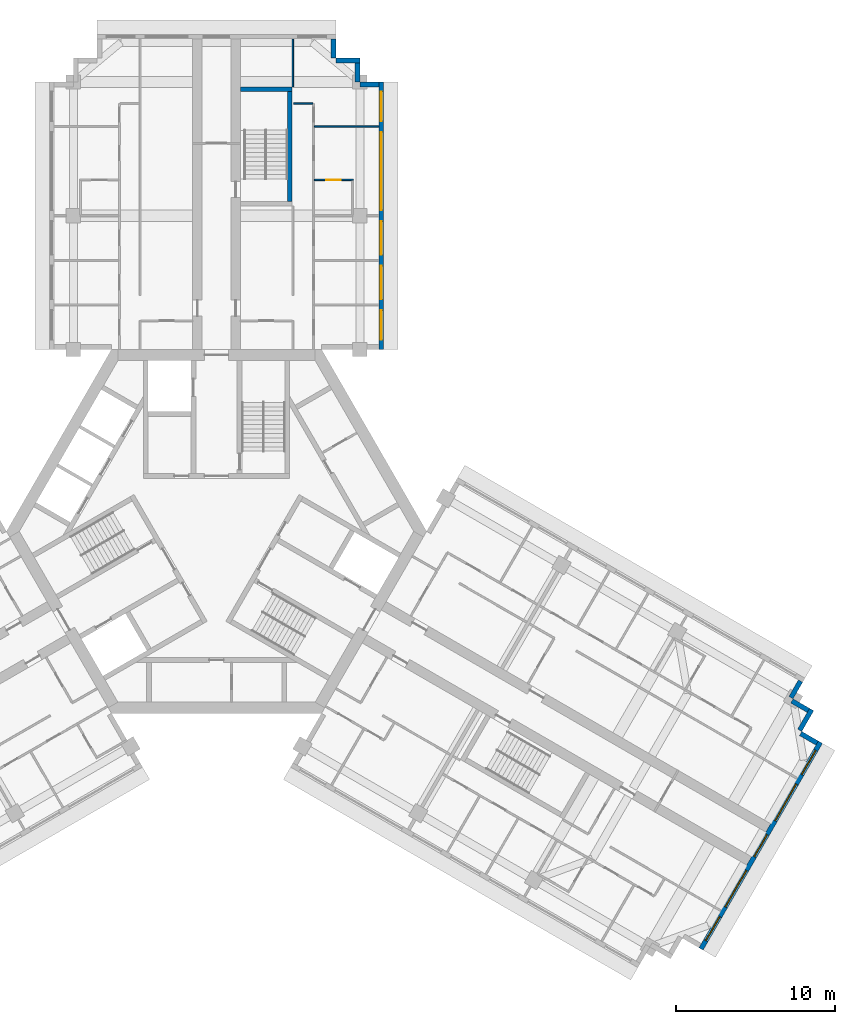
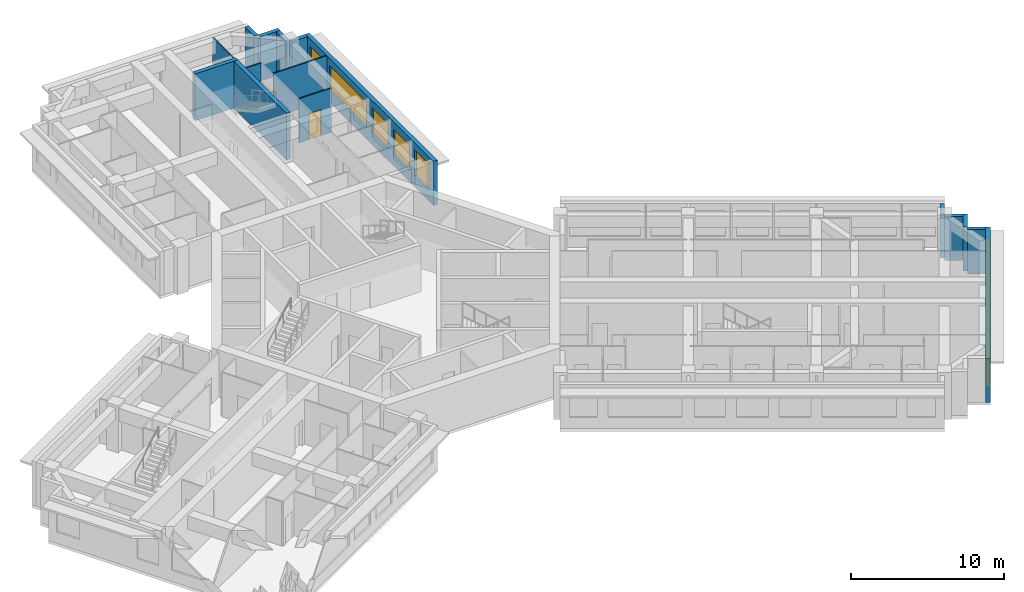
# One storey, part 9 of 11: 16 walls, 10 windows, 1 door, 11 openings.
"""IFC4 building model written with IfcOpenShell, lengths in metres."""

from ifc_helpers import new_model, si_unit, direction, frame, frame_2d, origin, place, context, subcontext, project, spatial, rectangle, extrude, material, layer, layer_set, type_object, element, fill, save


model = new_model("IFC4")

# Units and contexts
model_context = context("Model", 3, precision=1e-05, world=origin(), true_north=direction((0.0, 1.0)))
body_context = subcontext(model_context, "Body", "Model", "MODEL_VIEW")
ifc_project = project(units=[si_unit("LENGTHUNIT", "METRE"), si_unit("AREAUNIT", "SQUARE_METRE"), si_unit("VOLUMEUNIT", "CUBIC_METRE"), si_unit("PLANEANGLEUNIT", "RADIAN"), si_unit("MASSUNIT", "GRAM", prefix="KILO")], contexts=[model_context])

# Site, building, storey
site_placement = place(None, origin())
site = spatial("IfcSite", under=ifc_project, at=site_placement, CompositionType="ELEMENT")
building_placement = place(site_placement, origin())
building = spatial("IfcBuilding", under=site, at=building_placement, Name="Impinga Residences", CompositionType="ELEMENT")
storey_placement = place(building_placement, frame((0.0, 0.0, 244.75)))
storey = spatial("IfcBuildingStorey", under=building, at=storey_placement, Name="L61", CompositionType="ELEMENT", Elevation=244.75)

# Walls
ifc_material_1 = material(Name="Terracotta rainscreen on blockwork", Category="masonry")
ifc_layer_1 = layer(ifc_material_1, 0.300048828125)
ifc_layer_set_1 = layer_set([ifc_layer_1], Name="EW1 external wall, terracotta rainscreen on blockwork 300")
wall_type_1 = type_object("IfcWallType", Name="EW1 external wall, terracotta rainscreen on blockwork 300", PredefinedType="SOLIDWALL", material=ifc_layer_set_1)
wall_1_placement = place(storey_placement, frame((36.69384765625, -9.4072265625, 0.0), z_axis=(0.0, 0.0, 1.0), x_axis=(-0.499880961361, -0.866094119867, 0.0)))
element("IfcWall", 1, at=wall_1_placement, inside=storey, type_object=wall_type_1, Name="External wall EW1 L61", PredefinedType="SOLIDWALL", context=body_context, shape_type="SweptSolid", body=[
    extrude(rectangle(XDim=1.199951171875, YDim=0.300048828125, at=frame_2d((0.60009765625, 0.0))), origin(), (0.0, 0.0, 1.0), 3.530029296875),
])
wall_2_placement = place(storey_placement, frame((36.153076171875, -10.654052734375, 0.0), z_axis=(0.0, 0.0, 1.0), x_axis=(0.866059708757, -0.499940577336, 0.0)))
element("IfcWall", 2, at=wall_2_placement, inside=storey, type_object=wall_type_1, Name="External wall EW1 L61", PredefinedType="SOLIDWALL", context=body_context, shape_type="SweptSolid", body=[
    extrude(rectangle(XDim=1.195068359375, YDim=0.300048828125, at=frame_2d((0.59765625, 0.0))), origin(), (0.0, 0.0, 1.0), 3.530029296875),
])
wall_3_placement = place(storey_placement, frame((37.39306640625, -11.196533203125, 0.0), z_axis=(0.0, 0.0, 1.0), x_axis=(-0.499990139034, -0.866031096941, 0.0)))
element("IfcWall", 3, at=wall_3_placement, inside=storey, type_object=wall_type_1, Name="External wall EW1 L61", PredefinedType="SOLIDWALL", context=body_context, shape_type="SweptSolid", body=[
    extrude(rectangle(XDim=1.5, YDim=0.300048828125, at=frame_2d((0.75, 0.0))), origin(), (0.0, 0.0, 1.0), 3.530029296875),
])
wall_4_placement = place(storey_placement, frame((36.7021484375, -12.702880859375, 0.0), z_axis=(0.0, 0.0, 1.0), x_axis=(0.865971243484, -0.500093796661, 0.0)))
element("IfcWall", 4, at=wall_4_placement, inside=storey, type_object=wall_type_1, Name="External wall EW1 L61", PredefinedType="SOLIDWALL", context=body_context, shape_type="SweptSolid", body=[
    extrude(rectangle(XDim=1.195068359375, YDim=0.300048828125, at=frame_2d((0.59765625, 0.0))), origin(), (0.0, 0.0, 1.0), 3.530029296875),
])

# Wall, openings, windows
wall_5_placement = place(storey_placement, frame((37.94189453125, -13.24560546875, 0.0), z_axis=(0.0, 0.0, 1.0), x_axis=(-0.500004234368, -0.866022959057, 0.0)))
wall_5 = element("IfcWall", 5, at=wall_5_placement, inside=storey, type_object=wall_type_1, Name="External wall EW1 L61", PredefinedType="SOLIDWALL", context=body_context, shape_type="SweptSolid", body=[
    extrude(rectangle(XDim=14.999755859375, YDim=0.300048828125, at=frame_2d((7.5, 0.0))), origin(), (0.0, 0.0, 1.0), 3.530029296875),
])
opening_1_placement = place(wall_5_placement, frame((0.60009765625, 0.0, 0.89990234375)))
opening_1 = element("IfcOpeningElement", 6, at=opening_1_placement, cuts=wall_5, Name="Opening W1", PredefinedType="OPENING", context=body_context, shape_type="SweptSolid", body=[
    extrude(rectangle(XDim=1.75, YDim=2.050048828125, at=frame_2d((0.875, 1.02490234375))), frame((0.0, 0.159912109375, 0.0), z_axis=(0.0, -1.0, 0.0), x_axis=(1.0, 0.0, 0.0)), (0.0, 0.0, 1.0), 0.320068359375),
])
opening_2_placement = place(wall_5_placement, frame((3.050048828125, 0.0, 0.89990234375)))
opening_2 = element("IfcOpeningElement", 7, at=opening_2_placement, cuts=wall_5, Name="Opening W18", PredefinedType="OPENING", context=body_context, shape_type="SweptSolid", body=[
    extrude(rectangle(XDim=2.64990234375, YDim=2.050048828125, at=frame_2d((1.324951171875, 1.02490234375))), frame((0.0, 0.159912109375, 0.0), z_axis=(0.0, -1.0, 0.0), x_axis=(1.0, 0.0, 0.0)), (0.0, 0.0, 1.0), 0.320068359375),
])
opening_3_placement = place(wall_5_placement, frame((6.699951171875, 0.0, 0.89990234375)))
opening_3 = element("IfcOpeningElement", 8, at=opening_3_placement, cuts=wall_5, Name="Opening W19", PredefinedType="OPENING", context=body_context, shape_type="SweptSolid", body=[
    extrude(rectangle(XDim=1.60009765625, YDim=2.050048828125, at=frame_2d((0.800048828125, 1.02490234375))), frame((0.0, 0.159912109375, 0.0), z_axis=(0.0, -1.0, 0.0), x_axis=(1.0, 0.0, 0.0)), (0.0, 0.0, 1.0), 0.320068359375),
])
opening_4_placement = place(wall_5_placement, frame((9.300048828125, 0.0, 0.89990234375)))
opening_4 = element("IfcOpeningElement", 9, at=opening_4_placement, cuts=wall_5, Name="Opening W18", PredefinedType="OPENING", context=body_context, shape_type="SweptSolid", body=[
    extrude(rectangle(XDim=2.64990234375, YDim=2.050048828125, at=frame_2d((1.324951171875, 1.02490234375))), frame((0.0, 0.159912109375, 0.0), z_axis=(0.0, -1.0, 0.0), x_axis=(1.0, 0.0, 0.0)), (0.0, 0.0, 1.0), 0.320068359375),
])
opening_5_placement = place(wall_5_placement, frame((12.64990234375, 0.0, 0.89990234375)))
opening_5 = element("IfcOpeningElement", 10, at=opening_5_placement, cuts=wall_5, Name="Opening W1", PredefinedType="OPENING", context=body_context, shape_type="SweptSolid", body=[
    extrude(rectangle(XDim=1.75, YDim=2.050048828125, at=frame_2d((0.875, 1.02490234375))), frame((0.0, 0.159912109375, 0.0), z_axis=(0.0, -1.0, 0.0), x_axis=(1.0, 0.0, 0.0)), (0.0, 0.0, 1.0), 0.320068359375),
])
ifc_material_2 = material(Name="Aluminium window, clear double glazing", Category="aluminium")
window_type_1 = type_object("IfcWindowType", Name="W1 ribbon window 1750x2050", PartitioningType="SINGLE_PANEL", PredefinedType="WINDOW", material=ifc_material_2)
window_1_placement = place(opening_1_placement, origin())
window_1 = element("IfcWindow", 11, at=window_1_placement, inside=storey, type_object=window_type_1, Name="Window L61", OverallHeight=2.050048828125, OverallWidth=1.75, PartitioningType="SINGLE_PANEL", PredefinedType="WINDOW", context=body_context, shape_type="SweptSolid", body=[
    extrude(rectangle(XDim=1.75, YDim=2.050048828125, at=frame_2d((0.875, 1.02490234375))), frame((0.0, 0.030029296875, 0.0), z_axis=(0.0, -1.0, 0.0), x_axis=(1.0, 0.0, 0.0)), (0.0, 0.0, 1.0), 0.06005859375),
])
fill(opening_1, window_1)
window_2_placement = place(opening_5_placement, origin())
window_2 = element("IfcWindow", 12, at=window_2_placement, inside=storey, type_object=window_type_1, Name="Window L61", OverallHeight=2.050048828125, OverallWidth=1.75, PartitioningType="SINGLE_PANEL", PredefinedType="WINDOW", context=body_context, shape_type="SweptSolid", body=[
    extrude(rectangle(XDim=1.75, YDim=2.050048828125, at=frame_2d((0.875, 1.02490234375))), frame((0.0, 0.030029296875, 0.0), z_axis=(0.0, -1.0, 0.0), x_axis=(1.0, 0.0, 0.0)), (0.0, 0.0, 1.0), 0.06005859375),
])
fill(opening_5, window_2)
window_type_2 = type_object("IfcWindowType", Name="W18 ribbon window 2650x2050", PartitioningType="SINGLE_PANEL", PredefinedType="WINDOW", material=ifc_material_2)
window_3_placement = place(opening_2_placement, origin())
window_3 = element("IfcWindow", 13, at=window_3_placement, inside=storey, type_object=window_type_2, Name="Window L61", OverallHeight=2.050048828125, OverallWidth=2.64990234375, PartitioningType="SINGLE_PANEL", PredefinedType="WINDOW", context=body_context, shape_type="SweptSolid", body=[
    extrude(rectangle(XDim=2.64990234375, YDim=2.050048828125, at=frame_2d((1.324951171875, 1.02490234375))), frame((0.0, 0.030029296875, 0.0), z_axis=(0.0, -1.0, 0.0), x_axis=(1.0, 0.0, 0.0)), (0.0, 0.0, 1.0), 0.06005859375),
])
fill(opening_2, window_3)
window_4_placement = place(opening_4_placement, origin())
window_4 = element("IfcWindow", 14, at=window_4_placement, inside=storey, type_object=window_type_2, Name="Window L61", OverallHeight=2.050048828125, OverallWidth=2.64990234375, PartitioningType="SINGLE_PANEL", PredefinedType="WINDOW", context=body_context, shape_type="SweptSolid", body=[
    extrude(rectangle(XDim=2.64990234375, YDim=2.050048828125, at=frame_2d((1.324951171875, 1.02490234375))), frame((0.0, 0.030029296875, 0.0), z_axis=(0.0, -1.0, 0.0), x_axis=(1.0, 0.0, 0.0)), (0.0, 0.0, 1.0), 0.06005859375),
])
fill(opening_4, window_4)
window_type_3 = type_object("IfcWindowType", Name="W19 ribbon window 1600x2050", PartitioningType="SINGLE_PANEL", PredefinedType="WINDOW", material=ifc_material_2)
window_5_placement = place(opening_3_placement, origin())
window_5 = element("IfcWindow", 15, at=window_5_placement, inside=storey, type_object=window_type_3, Name="Window L61", OverallHeight=2.050048828125, OverallWidth=1.60009765625, PartitioningType="SINGLE_PANEL", PredefinedType="WINDOW", context=body_context, shape_type="SweptSolid", body=[
    extrude(rectangle(XDim=1.60009765625, YDim=2.050048828125, at=frame_2d((0.800048828125, 1.02490234375))), frame((0.0, 0.030029296875, 0.0), z_axis=(0.0, -1.0, 0.0), x_axis=(1.0, 0.0, 0.0)), (0.0, 0.0, 1.0), 0.06005859375),
])
fill(opening_3, window_5)

# Walls
wall_6_placement = place(storey_placement, frame((7.35009765625, 30.931640625, 0.0), z_axis=(0.0, 0.0, 1.0), x_axis=(0.0, -1.0, 0.0)))
element("IfcWall", 16, at=wall_6_placement, inside=storey, type_object=wall_type_1, Name="External wall EW1 L61", PredefinedType="SOLIDWALL", context=body_context, shape_type="SweptSolid", body=[
    extrude(rectangle(XDim=1.195068359375, YDim=0.300048828125, at=frame_2d((0.59765625, 0.0))), origin(), (0.0, 0.0, 1.0), 3.530029296875),
])
wall_7_placement = place(storey_placement, frame((7.5, 29.58154296875, 0.0), z_axis=(0.0, 0.0, 1.0), x_axis=(1.0, 0.0, 0.0)))
element("IfcWall", 17, at=wall_7_placement, inside=storey, type_object=wall_type_1, Name="External wall EW1 L61", PredefinedType="SOLIDWALL", context=body_context, shape_type="SweptSolid", body=[
    extrude(rectangle(XDim=1.5, YDim=0.300048828125, at=frame_2d((0.75, 0.0))), origin(), (0.0, 0.0, 1.0), 3.530029296875),
])
wall_8_placement = place(storey_placement, frame((8.85009765625, 29.431640625, 0.0), z_axis=(0.0, 0.0, 1.0), x_axis=(0.0, -1.0, 0.0)))
element("IfcWall", 18, at=wall_8_placement, inside=storey, type_object=wall_type_1, Name="External wall EW1 L61", PredefinedType="SOLIDWALL", context=body_context, shape_type="SweptSolid", body=[
    extrude(rectangle(XDim=1.2001953125, YDim=0.300048828125, at=frame_2d((0.60009765625, 0.0))), origin(), (0.0, 0.0, 1.0), 3.530029296875),
])
wall_9_placement = place(storey_placement, frame((9.0048828125, 28.08154296875, 0.0), z_axis=(0.0, 0.0, 1.0), x_axis=(1.0, 0.0, 0.0)))
element("IfcWall", 19, at=wall_9_placement, inside=storey, type_object=wall_type_1, Name="External wall EW1 L61", PredefinedType="SOLIDWALL", context=body_context, shape_type="SweptSolid", body=[
    extrude(rectangle(XDim=1.195068359375, YDim=0.300048828125, at=frame_2d((0.59765625, 0.0))), origin(), (0.0, 0.0, 1.0), 3.530029296875),
])

# Wall, openings, windows
wall_10_placement = place(storey_placement, frame((10.35009765625, 28.2314453125, 0.0), z_axis=(0.0, 0.0, 1.0), x_axis=(0.0, -1.0, 0.0)))
wall_10 = element("IfcWall", 20, at=wall_10_placement, inside=storey, type_object=wall_type_1, Name="External wall EW1 L61", PredefinedType="SOLIDWALL", context=body_context, shape_type="SweptSolid", body=[
    extrude(rectangle(XDim=16.7998046875, YDim=0.300048828125, at=frame_2d((8.39990234375, 0.0))), origin(), (0.0, 0.0, 1.0), 3.530029296875),
])
opening_6_placement = place(wall_10_placement, frame((0.60009765625, 0.0, 0.89990234375)))
opening_6 = element("IfcOpeningElement", 21, at=opening_6_placement, cuts=wall_10, Name="Opening W15", PredefinedType="OPENING", context=body_context, shape_type="SweptSolid", body=[
    extrude(rectangle(XDim=1.85009765625, YDim=2.050048828125, at=frame_2d((0.925048828125, 1.02490234375))), frame((0.0, 0.159912109375, 0.0), z_axis=(0.0, -1.0, 0.0), x_axis=(1.0, 0.0, 0.0)), (0.0, 0.0, 1.0), 0.320068359375),
])
opening_7_placement = place(wall_10_placement, frame((3.14990234375, 0.0, 0.89990234375)))
opening_7 = element("IfcOpeningElement", 22, at=opening_7_placement, cuts=wall_10, Name="Opening W16", PredefinedType="OPENING", context=body_context, shape_type="SweptSolid", body=[
    extrude(rectangle(XDim=4.89990234375, YDim=2.050048828125, at=frame_2d((2.449951171875, 1.02490234375))), frame((0.0, 0.159912109375, 0.0), z_axis=(0.0, -1.0, 0.0), x_axis=(1.0, 0.0, 0.0)), (0.0, 0.0, 1.0), 0.320068359375),
])
opening_8_placement = place(wall_10_placement, frame((8.75, 0.0, 0.89990234375)))
opening_8 = element("IfcOpeningElement", 23, at=opening_8_placement, cuts=wall_10, Name="Opening W9", PredefinedType="OPENING", context=body_context, shape_type="SweptSolid", body=[
    extrude(rectangle(XDim=2.10009765625, YDim=2.050048828125, at=frame_2d((1.050048828125, 1.02490234375))), frame((0.0, 0.159912109375, 0.0), z_axis=(0.0, -1.0, 0.0), x_axis=(1.0, 0.0, 0.0)), (0.0, 0.0, 1.0), 0.320068359375),
])
opening_9_placement = place(wall_10_placement, frame((11.550048828125, 0.0, 0.89990234375)))
opening_9 = element("IfcOpeningElement", 24, at=opening_9_placement, cuts=wall_10, Name="Opening W9", PredefinedType="OPENING", context=body_context, shape_type="SweptSolid", body=[
    extrude(rectangle(XDim=2.10009765625, YDim=2.050048828125, at=frame_2d((1.050048828125, 1.02490234375))), frame((0.0, 0.159912109375, 0.0), z_axis=(0.0, -1.0, 0.0), x_axis=(1.0, 0.0, 0.0)), (0.0, 0.0, 1.0), 0.320068359375),
])
opening_10_placement = place(wall_10_placement, frame((14.35009765625, 0.0, 0.89990234375)))
opening_10 = element("IfcOpeningElement", 25, at=opening_10_placement, cuts=wall_10, Name="Opening W15", PredefinedType="OPENING", context=body_context, shape_type="SweptSolid", body=[
    extrude(rectangle(XDim=1.85009765625, YDim=2.050048828125, at=frame_2d((0.925048828125, 1.02490234375))), frame((0.0, 0.159912109375, 0.0), z_axis=(0.0, -1.0, 0.0), x_axis=(1.0, 0.0, 0.0)), (0.0, 0.0, 1.0), 0.320068359375),
])
window_type_4 = type_object("IfcWindowType", Name="W15 ribbon window 1850x2050", PartitioningType="SINGLE_PANEL", PredefinedType="WINDOW", material=ifc_material_2)
window_6_placement = place(opening_6_placement, origin())
window_6 = element("IfcWindow", 26, at=window_6_placement, inside=storey, type_object=window_type_4, Name="Window L61", OverallHeight=2.050048828125, OverallWidth=1.85009765625, PartitioningType="SINGLE_PANEL", PredefinedType="WINDOW", context=body_context, shape_type="SweptSolid", body=[
    extrude(rectangle(XDim=1.85009765625, YDim=2.050048828125, at=frame_2d((0.925048828125, 1.02490234375))), frame((0.0, 0.030029296875, 0.0), z_axis=(0.0, -1.0, 0.0), x_axis=(1.0, 0.0, 0.0)), (0.0, 0.0, 1.0), 0.06005859375),
])
fill(opening_6, window_6)
window_7_placement = place(opening_10_placement, origin())
window_7 = element("IfcWindow", 27, at=window_7_placement, inside=storey, type_object=window_type_4, Name="Window L61", OverallHeight=2.050048828125, OverallWidth=1.85009765625, PartitioningType="SINGLE_PANEL", PredefinedType="WINDOW", context=body_context, shape_type="SweptSolid", body=[
    extrude(rectangle(XDim=1.85009765625, YDim=2.050048828125, at=frame_2d((0.925048828125, 1.02490234375))), frame((0.0, 0.030029296875, 0.0), z_axis=(0.0, -1.0, 0.0), x_axis=(1.0, 0.0, 0.0)), (0.0, 0.0, 1.0), 0.06005859375),
])
fill(opening_10, window_7)
window_type_5 = type_object("IfcWindowType", Name="W16 ribbon window 4900x2050", PartitioningType="SINGLE_PANEL", PredefinedType="WINDOW", material=ifc_material_2)
window_8_placement = place(opening_7_placement, origin())
window_8 = element("IfcWindow", 28, at=window_8_placement, inside=storey, type_object=window_type_5, Name="Window L61", OverallHeight=2.050048828125, OverallWidth=4.89990234375, PartitioningType="SINGLE_PANEL", PredefinedType="WINDOW", context=body_context, shape_type="SweptSolid", body=[
    extrude(rectangle(XDim=4.89990234375, YDim=2.050048828125, at=frame_2d((2.449951171875, 1.02490234375))), frame((0.0, 0.030029296875, 0.0), z_axis=(0.0, -1.0, 0.0), x_axis=(1.0, 0.0, 0.0)), (0.0, 0.0, 1.0), 0.06005859375),
])
fill(opening_7, window_8)
window_type_6 = type_object("IfcWindowType", Name="W9 ribbon window 2100x2050", PartitioningType="SINGLE_PANEL", PredefinedType="WINDOW", material=ifc_material_2)
window_9_placement = place(opening_8_placement, origin())
window_9 = element("IfcWindow", 29, at=window_9_placement, inside=storey, type_object=window_type_6, Name="Window L61", OverallHeight=2.050048828125, OverallWidth=2.10009765625, PartitioningType="SINGLE_PANEL", PredefinedType="WINDOW", context=body_context, shape_type="SweptSolid", body=[
    extrude(rectangle(XDim=2.10009765625, YDim=2.050048828125, at=frame_2d((1.050048828125, 1.02490234375))), frame((0.0, 0.030029296875, 0.0), z_axis=(0.0, -1.0, 0.0), x_axis=(1.0, 0.0, 0.0)), (0.0, 0.0, 1.0), 0.06005859375),
])
fill(opening_8, window_9)
window_10_placement = place(opening_9_placement, origin())
window_10 = element("IfcWindow", 30, at=window_10_placement, inside=storey, type_object=window_type_6, Name="Window L61", OverallHeight=2.050048828125, OverallWidth=2.10009765625, PartitioningType="SINGLE_PANEL", PredefinedType="WINDOW", context=body_context, shape_type="SweptSolid", body=[
    extrude(rectangle(XDim=2.10009765625, YDim=2.050048828125, at=frame_2d((1.050048828125, 1.02490234375))), frame((0.0, 0.030029296875, 0.0), z_axis=(0.0, -1.0, 0.0), x_axis=(1.0, 0.0, 0.0)), (0.0, 0.0, 1.0), 0.06005859375),
])
fill(opening_9, window_10)

# Walls
ifc_material_3 = material(Name="Gypsum board on steel studs", Category="steel")
ifc_layer_2 = layer(ifc_material_3, 0.10009765625)
ifc_layer_set_2 = layer_set([ifc_layer_2], Name="Gypsum board on steel studs")
wall_type_2 = type_object("IfcWallType", Name="IP1 partition 100", PredefinedType="PARTITIONING", material=ifc_layer_set_2)
wall_11_placement = place(storey_placement, frame((4.800048828125, 27.931640625, 0.0), z_axis=(0.0, 0.0, 1.0), x_axis=(0.0, 1.0, 0.0)))
element("IfcWall", 31, at=wall_11_placement, inside=storey, type_object=wall_type_2, Name="Partition L61-NF1:DIV2", PredefinedType="PARTITIONING", context=body_context, shape_type="SweptSolid", body=[
    extrude(rectangle(XDim=3.0, YDim=0.10009765625, at=frame_2d((1.5, 0.0))), origin(), (0.0, 0.0, 1.0), 3.530029296875),
])
wall_12_placement = place(storey_placement, frame((4.85009765625, 26.881591796875, 0.0), z_axis=(0.0, 0.0, 1.0), x_axis=(1.0, 0.0, 0.0)))
element("IfcWall", 32, at=wall_12_placement, inside=storey, type_object=wall_type_2, Name="Partition L61-NF1:SE1", PredefinedType="PARTITIONING", context=body_context, shape_type="SweptSolid", body=[
    extrude(rectangle(XDim=1.199951171875, YDim=0.10009765625, at=frame_2d((0.60009765625, 0.0))), origin(), (0.0, 0.0, 1.0), 3.530029296875),
])
wall_13_placement = place(storey_placement, frame((6.14990234375, 25.431640625, 0.0), z_axis=(0.0, 0.0, 1.0), x_axis=(1.0, 0.0, 0.0)))
element("IfcWall", 33, at=wall_13_placement, inside=storey, type_object=wall_type_2, Name="Partition L61-NF1:OB4", PredefinedType="PARTITIONING", context=body_context, shape_type="SweptSolid", body=[
    extrude(rectangle(XDim=4.050048828125, YDim=0.10009765625, at=frame_2d((2.02490234375, 0.0))), origin(), (0.0, 0.0, 1.0), 3.530029296875),
])

# Wall, opening, door
wall_14_placement = place(storey_placement, frame((6.14990234375, 22.08154296875, 0.0), z_axis=(0.0, 0.0, 1.0), x_axis=(1.0, 0.0, 0.0)))
wall_14 = element("IfcWall", 34, at=wall_14_placement, inside=storey, type_object=wall_type_2, Name="Partition L61-NF1:EN1", PredefinedType="PARTITIONING", context=body_context, shape_type="SweptSolid", body=[
    extrude(rectangle(XDim=2.4501953125, YDim=0.10009765625, at=frame_2d((1.22509765625, 0.0))), origin(), (0.0, 0.0, 1.0), 3.530029296875),
])
opening_11_placement = place(wall_14_placement, frame((0.75, 0.0, 0.0)))
opening_11 = element("IfcOpeningElement", 35, at=opening_11_placement, cuts=wall_14, Name="Opening D2", PredefinedType="OPENING", context=body_context, shape_type="SweptSolid", body=[
    extrude(rectangle(XDim=0.89990234375, YDim=2.10009765625, at=frame_2d((0.449951171875, 1.050048828125))), frame((0.0, 0.06005859375, 0.0), z_axis=(0.0, -1.0, 0.0), x_axis=(1.0, 0.0, 0.0)), (0.0, 0.0, 1.0), 0.1201171875),
])
ifc_material_4 = material(Name="Timber door set", Category="wood")
door_type = type_object("IfcDoorType", Name="D2 internal door 900x2100", OperationType="SINGLE_SWING_LEFT", PredefinedType="DOOR", material=ifc_material_4)
door_placement = place(opening_11_placement, origin())
door = element("IfcDoor", 36, at=door_placement, inside=storey, type_object=door_type, Name="Apartment L61-NF1 en-suite door", OperationType="SINGLE_SWING_LEFT", OverallHeight=2.10009765625, OverallWidth=0.89990234375, PredefinedType="DOOR", context=body_context, shape_type="SweptSolid", body=[
    extrude(rectangle(XDim=0.89990234375, YDim=2.10009765625, at=frame_2d((0.449951171875, 1.050048828125))), frame((0.0, 0.02490234375, 0.0), z_axis=(0.0, -1.0, 0.0), x_axis=(1.0, 0.0, 0.0)), (0.0, 0.0, 1.0), 0.050048828125),
])
fill(opening_11, door)

# Walls
ifc_material_5 = material(Name="Concrete C60/75", Category="concrete")
ifc_layer_3 = layer(ifc_material_5, 0.300048828125)
ifc_layer_set_3 = layer_set([ifc_layer_3], Name="Concrete C60/75")
wall_type_3 = type_object("IfcWallType", Name="SE1 wing stair enclosure wall 300", PredefinedType="SOLIDWALL", material=ifc_layer_set_3)
wall_15_placement = place(storey_placement, frame((1.5, 27.781494140625, 0.0), z_axis=(0.0, 0.0, 1.0), x_axis=(1.0, 0.0, 0.0)))
element("IfcWall", 37, at=wall_15_placement, inside=storey, type_object=wall_type_3, Name="Stair enclosure wall SE1 N END1 L61", PredefinedType="SOLIDWALL", context=body_context, shape_type="SweptSolid", body=[
    extrude(rectangle(XDim=3.25, YDim=0.300048828125, at=frame_2d((1.625, 0.0))), origin(), (0.0, 0.0, 1.0), 3.75),
])
wall_16_placement = place(storey_placement, frame((4.60009765625, 20.7314453125, 0.0), z_axis=(0.0, 0.0, 1.0), x_axis=(0.0, 1.0, 0.0)))
element("IfcWall", 38, at=wall_16_placement, inside=storey, type_object=wall_type_3, Name="Stair enclosure wall SE1 N OUT L61", PredefinedType="SOLIDWALL", context=body_context, shape_type="SweptSolid", body=[
    extrude(rectangle(XDim=6.900146484375, YDim=0.300048828125, at=frame_2d((3.4501953125, 0.0))), origin(), (0.0, 0.0, 1.0), 3.75),
])

save(model, "model.ifc")
